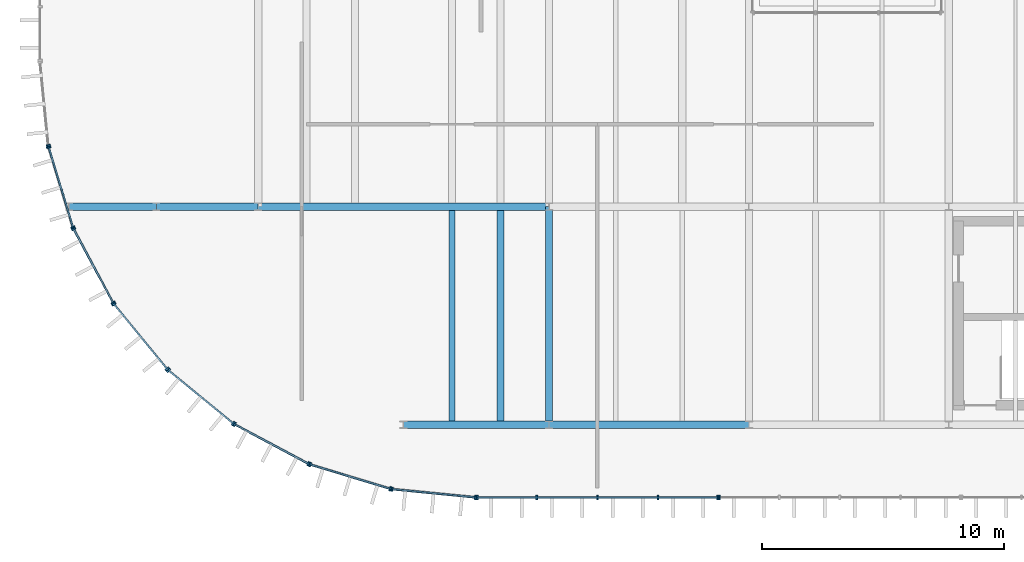
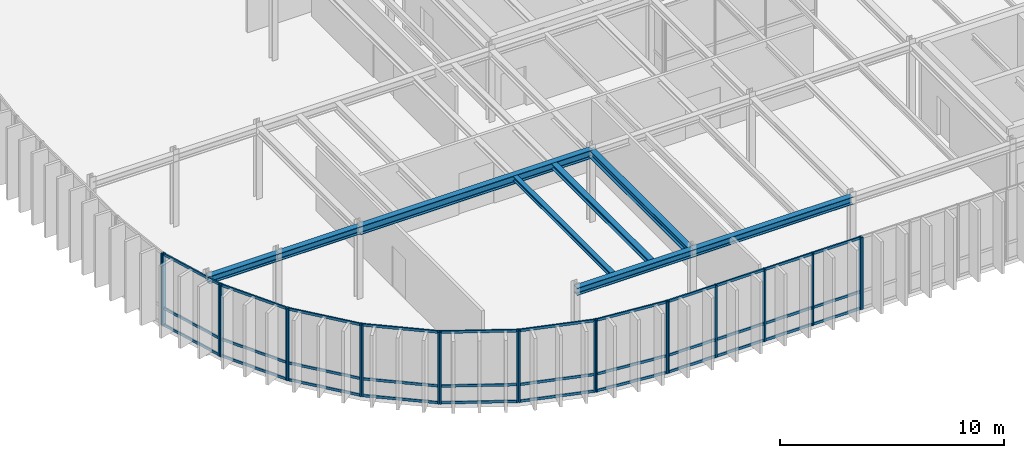
# One storey, part 6 of 21: 45 members, 8 beams, 10 elements without a shape of their own.
"""IFC4 building model written with IfcOpenShell, lengths in metres."""

import ifcopenshell
import ifcopenshell.guid

model = None  # the IFC model being written
_history = None  # IfcOwnerHistory: only IFC2X3 demands one
_inside = {}  # id of a spatial element -> (the spatial element, [elements in it])
_under = {}  # id of a project, library or spatial element -> (it, [spatial elements below it])
_declared = {}  # id of a project -> (the project, [libraries it declares])
_typed = {}  # id of a type object -> (the type object, [elements of that type])
_made_of = {}  # id of a material, layer set ... -> (it, [elements and type objects made of it])


def new_model(schema):
    """Start an empty IFC model of exactly this schema.

    Asked for "IFC4X3", IfcOpenShell would pick the latest addendum, in which some entities
    have other attributes; the version numbers below select the first issue.
    IFC2X3 requires an IfcOwnerHistory on every rooted entity: one is made here for all.
    """
    global model, _history
    if schema == "IFC4X3":
        model = ifcopenshell.file(schema_version=(4, 3, 0, 0))
    else:
        model = ifcopenshell.file(schema=schema)
    _inside.clear()
    _under.clear()
    _declared.clear()
    _typed.clear()
    _made_of.clear()
    _history = None
    if model.schema == "IFC2X3":
        org = make("IfcOrganization", Name="unknown")
        user = make(
            "IfcPersonAndOrganization",
            ThePerson=make("IfcPerson", FamilyName="unknown"),
            TheOrganization=org,
        )
        app = make(
            "IfcApplication",
            ApplicationDeveloper=org,
            Version="unknown",
            ApplicationFullName="unknown",
            ApplicationIdentifier="unknown",
        )
        _history = make(
            "IfcOwnerHistory",
            OwningUser=user,
            OwningApplication=app,
            ChangeAction="ADDED",
            CreationDate=0,
        )
    return model


def make(cls, **values):
    """One entity of the class cls with the attributes given. An attribute that is None is left unset."""
    return model.create_entity(
        cls, **{name: value for name, value in values.items() if value is not None}
    )


def rooted(cls, **values):
    """An entity with a GlobalId (a new one), such as an element, a storey or a relation."""
    return make(cls, GlobalId=ifcopenshell.guid.new(), OwnerHistory=_history, **values)


def si_unit(unit_type, name, prefix=None):
    """IfcSIUnit, for example si_unit("LENGTHUNIT", "METRE", prefix="MILLI")."""
    return make("IfcSIUnit", UnitType=unit_type, Prefix=prefix, Name=name)


def assignment(units):
    """IfcUnitAssignment: the units of a project."""
    return None if units is None else make("IfcUnitAssignment", Units=units)


def point(xyz):
    """IfcCartesianPoint."""
    return None if xyz is None else make("IfcCartesianPoint", Coordinates=xyz)


def direction(xyz):
    """IfcDirection."""
    return None if xyz is None else make("IfcDirection", DirectionRatios=xyz)


def frame(location, z_axis=None, x_axis=None):
    """IfcAxis2Placement3D, a coordinate frame: its origin and axes. An axis left out is left unset."""
    return make(
        "IfcAxis2Placement3D",
        Location=point(location),
        Axis=direction(z_axis),
        RefDirection=direction(x_axis),
    )


def frame_2d(location, x_axis=None):
    """IfcAxis2Placement2D, a coordinate frame in the plane: its origin and x axis."""
    return make(
        "IfcAxis2Placement2D", Location=point(location), RefDirection=direction(x_axis)
    )


def origin():
    """The frame at (0, 0, 0) with its axes left unset."""
    return frame((0.0, 0.0, 0.0))


def origin_2d():
    """The frame at (0, 0) in the plane with its x axis left unset."""
    return frame_2d((0.0, 0.0))


def place(relative_to, where):
    """IfcLocalPlacement: puts the frame where relative to a parent placement (None: the world)."""
    return make(
        "IfcLocalPlacement", PlacementRelTo=relative_to, RelativePlacement=where
    )


def context(
    kind, dimensions, precision=None, world=None, true_north=None, identifier=None
):
    """IfcGeometricRepresentationContext, for example the 3D "Model" context."""
    return make(
        "IfcGeometricRepresentationContext",
        ContextIdentifier=identifier,
        ContextType=kind,
        CoordinateSpaceDimension=dimensions,
        Precision=precision,
        WorldCoordinateSystem=world,
        TrueNorth=true_north,
    )


def subcontext(parent, identifier, kind, view, scale=None):
    """IfcGeometricRepresentationSubContext, for example "Body" below "Model"."""
    return make(
        "IfcGeometricRepresentationSubContext",
        ContextIdentifier=identifier,
        ContextType=kind,
        ParentContext=parent,
        TargetScale=scale,
        TargetView=view,
    )


def project(units=None, contexts=None):
    """IfcProject with its units and contexts."""
    return rooted(
        "IfcProject",
        Name="project",
        RepresentationContexts=contexts,
        UnitsInContext=assignment(units),
    )


def spatial(cls, under=None, at=None, **own):
    """A site, building, storey or space (cls), placed at a placement, below another one or the project."""
    s = rooted(cls, ObjectPlacement=at, **own)
    if under is not None:
        _under.setdefault(under.id(), (under, []))[1].append(s)
    return s


def profile(cls, at=None, kind="AREA", **sizes):
    """A parametric profile (cls). Its sizes go by their IFC names, for example OverallWidth=200.0."""
    return make(cls, ProfileType=kind, Position=at, **sizes)


def rectangle(**sizes):
    """IfcRectangleProfileDef."""
    return profile("IfcRectangleProfileDef", **sizes)


def i_section(**sizes):
    """IfcIShapeProfileDef."""
    return profile("IfcIShapeProfileDef", **sizes)


def extrude(swept, where, along, depth):
    """IfcExtrudedAreaSolid: the profile swept, set in the frame where, extruded along a direction by depth."""
    return make(
        "IfcExtrudedAreaSolid",
        SweptArea=swept,
        Position=where,
        ExtrudedDirection=direction(along),
        Depth=depth,
    )


def shape(context_of_items, identifier, shape_type, items):
    """IfcShapeRepresentation: the items that make up one representation, for example the "Body"."""
    return make(
        "IfcShapeRepresentation",
        ContextOfItems=context_of_items,
        RepresentationIdentifier=identifier,
        RepresentationType=shape_type,
        Items=items,
    )


def material(Name=None, Category=None):
    """IfcMaterial."""
    return make("IfcMaterial", Name=Name, Category=Category)


def layer(
    of_material, thickness, ventilated=None, Name=None, Category=None, Priority=None
):
    """IfcMaterialLayer: one layer of a wall or slab, of a material (None: an air gap)."""
    return make(
        "IfcMaterialLayer",
        Material=of_material,
        LayerThickness=thickness,
        IsVentilated=ventilated,
        Name=Name,
        Category=Category,
        Priority=Priority,
    )


def layer_set(layers, Name=None):
    """IfcMaterialLayerSet."""
    return make("IfcMaterialLayerSet", MaterialLayers=layers, LayerSetName=Name)


def material_profile(
    of_material, cross_section, Name=None, Category=None, Priority=None
):
    """IfcMaterialProfile: a cross section and its material."""
    return make(
        "IfcMaterialProfile",
        Name=Name,
        Material=of_material,
        Profile=cross_section,
        Priority=Priority,
        Category=Category,
    )


def profile_set(profiles, Name=None, composite=None):
    """IfcMaterialProfileSet."""
    return make(
        "IfcMaterialProfileSet",
        Name=Name,
        MaterialProfiles=profiles,
        CompositeProfile=composite,
    )


def made_of(thing, what):
    """Note that an element or type object is made of a material, layer set ...; save() writes the relation."""
    if what is not None:
        _made_of.setdefault(what.id(), (what, []))[1].append(thing)
    return thing


def type_object(cls, material=None, **own):
    """A type object (cls), such as IfcWallType, which elements share."""
    return made_of(rooted(cls, **own), material)


def element(
    cls,
    number,
    at=None,
    inside=None,
    cuts=None,
    type_object=None,
    material=None,
    context=None,
    identifier="Body",
    shape_type=None,
    held_by="IfcProductDefinitionShape",
    body=None,
    shapes=None,
    **own,
):
    """One element of the class cls, such as IfcWall. Its Tag is "e" and its number.

    at: its placement. inside: the storey or other place that contains it. cuts: it is an
    opening in that element (IfcRelVoidsElement). A single representation is given by context,
    identifier, shape_type and body (its items); several are given by shapes. held_by: the class
    of the entity that holds the representations. save() writes the other relations.
    """
    e = rooted(cls, Tag="e%d" % number, ObjectPlacement=at, **own)
    if body is not None:
        shapes = [shape(context, identifier, shape_type, body)]
    if shapes is not None:
        e.Representation = make(held_by, Representations=shapes)
    if inside is not None:
        _inside.setdefault(inside.id(), (inside, []))[1].append(e)
    if cuts is not None:
        rooted(
            "IfcRelVoidsElement", RelatingBuildingElement=cuts, RelatedOpeningElement=e
        )
    if type_object is not None:
        _typed.setdefault(type_object.id(), (type_object, []))[1].append(e)
    return made_of(e, material)


def aggregate(whole, parts):
    """IfcRelAggregates: a whole, such as a stair, and the parts it consists of."""
    return rooted("IfcRelAggregates", RelatingObject=whole, RelatedObjects=parts)


def save(model, path):
    """Write the relations noted so far, then the file.

    IfcRelAggregates (storeys below a building ...), IfcRelContainedInSpatialStructure (elements
    in a storey), IfcRelDefinesByType, IfcRelAssociatesMaterial and IfcRelDeclares: one each for
    every whole, place, type object, material and project.
    """
    for whole, parts in _under.values():
        aggregate(whole, parts)
    for where, things in _inside.values():
        rooted(
            "IfcRelContainedInSpatialStructure",
            RelatedElements=things,
            RelatingStructure=where,
        )
    for kind, things in _typed.values():
        rooted("IfcRelDefinesByType", RelatedObjects=things, RelatingType=kind)
    for what, things in _made_of.values():
        rooted("IfcRelAssociatesMaterial", RelatedObjects=things, RelatingMaterial=what)
    for by, libraries in _declared.values():
        rooted("IfcRelDeclares", RelatingContext=by, RelatedDefinitions=libraries)
    model.write(path)


model = new_model("IFC4")

# Units and contexts
model_context = context("Model", 3, precision=1e-05, world=origin(), true_north=direction((0.0, 1.0)))
body_context = subcontext(model_context, "Body", "Model", "MODEL_VIEW")
ifc_project = project(units=[si_unit("LENGTHUNIT", "METRE"), si_unit("AREAUNIT", "SQUARE_METRE"), si_unit("VOLUMEUNIT", "CUBIC_METRE"), si_unit("PLANEANGLEUNIT", "RADIAN"), si_unit("MASSUNIT", "GRAM", prefix="KILO")], contexts=[model_context])

# Site, building, storey
site_placement = place(None, origin())
site = spatial("IfcSite", under=ifc_project, at=site_placement, CompositionType="ELEMENT")
building_placement = place(site_placement, origin())
building = spatial("IfcBuilding", under=site, at=building_placement, Name="Montealbar Specialist Clinic", CompositionType="ELEMENT")
storey_placement = place(building_placement, frame((0.0, 0.0, 26.39990234375)))
storey = spatial("IfcBuildingStorey", under=building, at=storey_placement, Name="L06", CompositionType="ELEMENT", Elevation=26.39990234375)

# Beams
ifc_material_1 = material(Name="Steel S355", Category="steel")
ifc_material_profile_1 = material_profile(ifc_material_1, i_section(OverallWidth=0.300048828125, OverallDepth=0.39990234375, WebThickness=0.013427734375, FlangeThickness=0.02392578125, FilletRadius=0.027099609375, at=origin_2d()), Name="HEB 400", Category="steel")
ifc_profile_set_1 = profile_set([ifc_material_profile_1], Name="Steel S355")
beam_type_1 = type_object("IfcBeamType", Name="BM-GIRD-HEB400-EXT", PredefinedType="BEAM", material=ifc_profile_set_1)
beam_1_placement = place(storey_placement, frame((60.0, 9.0, 3.72998046875), z_axis=(1.0, 0.0, 0.0), x_axis=(0.0, 1.0, 0.0)))
element("IfcBeam", 1, at=beam_1_placement, inside=storey, type_object=beam_type_1, Name="Beam GX-L06-600-660-90", PredefinedType="BEAM", context=body_context, shape_type="SweptSolid", body=[
    extrude(i_section(OverallWidth=0.300048828125, OverallDepth=0.39990234375, WebThickness=0.013427734375, FlangeThickness=0.02392578125, FilletRadius=0.027099609375, at=origin_2d()), origin(), (0.0, 0.0, 1.0), 6.0),
])
beam_2_placement = place(storey_placement, frame((66.0, 9.0, 3.72998046875), z_axis=(1.0, 0.0, 0.0), x_axis=(0.0, 1.0, 0.0)))
element("IfcBeam", 2, at=beam_2_placement, inside=storey, type_object=beam_type_1, Name="Beam GX-L06-660-742-90", PredefinedType="BEAM", context=body_context, shape_type="SweptSolid", body=[
    extrude(i_section(OverallWidth=0.300048828125, OverallDepth=0.39990234375, WebThickness=0.013427734375, FlangeThickness=0.02392578125, FilletRadius=0.027099609375, at=origin_2d()), origin(), (0.0, 0.0, 1.0), 8.25),
])
beam_3_placement = place(storey_placement, frame((46.199951171875, 18.0, 3.72998046875), z_axis=(1.0, 0.0, 0.0), x_axis=(0.0, 1.0, 0.0)))
element("IfcBeam", 3, at=beam_3_placement, inside=storey, type_object=beam_type_1, Name="Beam GX-L06-462-498-180", PredefinedType="BEAM", context=body_context, shape_type="SweptSolid", body=[
    extrude(i_section(OverallWidth=0.300048828125, OverallDepth=0.39990234375, WebThickness=0.013427734375, FlangeThickness=0.02392578125, FilletRadius=0.027099609375, at=origin_2d()), origin(), (0.0, 0.0, 1.0), 3.60009765625),
])
beam_4_placement = place(storey_placement, frame((49.800048828125, 18.0, 3.72998046875), z_axis=(1.0, 0.0, 0.0), x_axis=(0.0, 1.0, 0.0)))
element("IfcBeam", 4, at=beam_4_placement, inside=storey, type_object=beam_type_1, Name="Beam GX-L06-498-540-180", PredefinedType="BEAM", context=body_context, shape_type="SweptSolid", body=[
    extrude(i_section(OverallWidth=0.300048828125, OverallDepth=0.39990234375, WebThickness=0.013427734375, FlangeThickness=0.02392578125, FilletRadius=0.027099609375, at=origin_2d()), origin(), (0.0, 0.0, 1.0), 4.199951171875),
])
beam_5_placement = place(storey_placement, frame((66.0, 9.0, 3.72998046875), z_axis=(0.0, 1.0, 0.0), x_axis=(-1.0, 0.0, 0.0)))
element("IfcBeam", 5, at=beam_5_placement, inside=storey, type_object=beam_type_1, Name="Beam GY-L06-660-90-180", PredefinedType="BEAM", context=body_context, shape_type="SweptSolid", body=[
    extrude(i_section(OverallWidth=0.300048828125, OverallDepth=0.39990234375, WebThickness=0.013427734375, FlangeThickness=0.02392578125, FilletRadius=0.027099609375, at=origin_2d()), origin(), (0.0, 0.0, 1.0), 9.0),
])
ifc_material_profile_2 = material_profile(ifc_material_1, i_section(OverallWidth=0.300048828125, OverallDepth=0.449951171875, WebThickness=0.013916015625, FlangeThickness=0.02587890625, FilletRadius=0.027099609375, at=origin_2d()), Name="HEB 450", Category="steel")
ifc_profile_set_2 = profile_set([ifc_material_profile_2], Name="Steel S355")
beam_type_2 = type_object("IfcBeamType", Name="BM-GIRD-HEB450-EXT", PredefinedType="BEAM", material=ifc_profile_set_2)
beam_6_placement = place(storey_placement, frame((54.0, 18.0, 3.705078125), z_axis=(1.0, 0.0, 0.0), x_axis=(0.0, 1.0, 0.0)))
element("IfcBeam", 6, at=beam_6_placement, inside=storey, type_object=beam_type_2, Name="Beam GX-L06-540-660-180", PredefinedType="BEAM", context=body_context, shape_type="SweptSolid", body=[
    extrude(i_section(OverallWidth=0.300048828125, OverallDepth=0.449951171875, WebThickness=0.013916015625, FlangeThickness=0.02587890625, FilletRadius=0.027099609375, at=origin_2d()), origin(), (0.0, 0.0, 1.0), 12.0),
])
ifc_material_profile_3 = material_profile(ifc_material_1, i_section(OverallWidth=0.239990234375, OverallDepth=0.239990234375, WebThickness=0.010009765625, FlangeThickness=0.01708984375, FilletRadius=0.02099609375, at=origin_2d()), Name="HEB 240", Category="steel")
ifc_profile_set_3 = profile_set([ifc_material_profile_3], Name="Steel S355")
beam_type_3 = type_object("IfcBeamType", Name="BM-JST-HEB240", PredefinedType="JOIST", material=ifc_profile_set_3)
beam_7_placement = place(storey_placement, frame((62.0, 9.14990234375, 3.81005859375), z_axis=(0.0, 1.0, 0.0), x_axis=(-1.0, 0.0, 0.0)))
element("IfcBeam", 7, at=beam_7_placement, inside=storey, type_object=beam_type_3, Name="Beam JST-L06-620-92-178", PredefinedType="JOIST", context=body_context, shape_type="SweptSolid", body=[
    extrude(i_section(OverallWidth=0.239990234375, OverallDepth=0.239990234375, WebThickness=0.010009765625, FlangeThickness=0.01708984375, FilletRadius=0.02099609375, at=origin_2d()), origin(), (0.0, 0.0, 1.0), 8.7001953125),
])
ifc_material_profile_4 = material_profile(ifc_material_1, i_section(OverallWidth=0.280029296875, OverallDepth=0.280029296875, WebThickness=0.010498046875, FlangeThickness=0.01806640625, FilletRadius=0.02392578125, at=origin_2d()), Name="HEB 280", Category="steel")
ifc_profile_set_4 = profile_set([ifc_material_profile_4], Name="Steel S355")
beam_type_4 = type_object("IfcBeamType", Name="BM-JST-HEB280", PredefinedType="JOIST", material=ifc_profile_set_4)
beam_8_placement = place(storey_placement, frame((64.0, 9.14990234375, 3.7900390625), z_axis=(0.0, 1.0, 0.0), x_axis=(-1.0, 0.0, 0.0)))
element("IfcBeam", 8, at=beam_8_placement, inside=storey, type_object=beam_type_4, Name="Beam JST-L06-640-92-178", PredefinedType="JOIST", context=body_context, shape_type="SweptSolid", body=[
    extrude(i_section(OverallWidth=0.280029296875, OverallDepth=0.280029296875, WebThickness=0.010498046875, FlangeThickness=0.01806640625, FilletRadius=0.02392578125, at=origin_2d()), origin(), (0.0, 0.0, 1.0), 8.7001953125),
])

# Curtain wall, member
ifc_material_2 = material(Name="Low-E double glazing", Category="glass")
ifc_layer_1 = layer(ifc_material_2, 0.199951171875, Name="Low-E double glazing", Category="glass")
ifc_layer_set_1 = layer_set([ifc_layer_1], Name="Low-E double glazing")
curtain_wall_type_1 = type_object("IfcCurtainWallType", Name="CW-TYPE-43", PredefinedType="NOTDEFINED", material=ifc_layer_set_1)
curtain_wall_1_placement = place(storey_placement, origin())
curtain_wall_1 = element("IfcCurtainWall", 9, at=curtain_wall_1_placement, inside=storey, type_object=curtain_wall_type_1, Name="Unitised Curtain Wall CW-L06-830-60-730-60-264", PredefinedType="NOTDEFINED")
ifc_material_3 = material(Name="Anodised aluminium EN AW-6063", Category="aluminium")
ifc_material_profile_5 = material_profile(ifc_material_3, rectangle(XDim=0.070068359375, YDim=0.179931640625, at=origin_2d()), Name="ALU 70x180", Category="aluminium")
ifc_profile_set_5 = profile_set([ifc_material_profile_5], Name="Anodised aluminium EN AW-6063")
member_type_1 = type_object("IfcMemberType", Name="CW-MUL-200", PredefinedType="MULLION", material=ifc_profile_set_5)
member_1_placement = place(storey_placement, frame((73.0400390625, 6.0, 0.0), z_axis=(0.0, 0.0, 1.0), x_axis=(-1.0, 0.0, 0.0)))
member_1 = element("IfcMember", 10, at=member_1_placement, type_object=member_type_1, Name="Curtain Wall Mullion CW-L06-830-60-730-60-264-04", PredefinedType="MULLION", context=body_context, shape_type="SweptSolid", body=[
    extrude(rectangle(XDim=0.070068359375, YDim=0.179931640625, at=origin_2d()), origin(), (0.0, 0.0, 1.0), 3.93017578125),
])
aggregate(curtain_wall_1, [member_1])

# Curtain wall, members
curtain_wall_2_placement = place(storey_placement, origin())
curtain_wall_2 = element("IfcCurtainWall", 11, at=curtain_wall_2_placement, inside=storey, type_object=curtain_wall_type_1, Name="Unitised Curtain Wall CW-L06-730-60-630-60-264", PredefinedType="NOTDEFINED")
member_2_placement = place(storey_placement, frame((72.9599609375, 6.0, 0.0), z_axis=(0.0, 0.0, 1.0), x_axis=(-1.0, 0.0, 0.0)))
member_2 = element("IfcMember", 12, at=member_2_placement, type_object=member_type_1, Name="Curtain Wall Mullion CW-L06-730-60-630-60-264-00", PredefinedType="MULLION", context=body_context, shape_type="SweptSolid", body=[
    extrude(rectangle(XDim=0.070068359375, YDim=0.179931640625, at=origin_2d()), origin(), (0.0, 0.0, 1.0), 3.93017578125),
])
member_3_placement = place(storey_placement, frame((70.5, 6.0, 0.0), z_axis=(0.0, 0.0, 1.0), x_axis=(-1.0, 0.0, 0.0)))
member_3 = element("IfcMember", 13, at=member_3_placement, type_object=member_type_1, Name="Curtain Wall Mullion CW-L06-730-60-630-60-264-01", PredefinedType="MULLION", context=body_context, shape_type="SweptSolid", body=[
    extrude(rectangle(XDim=0.070068359375, YDim=0.179931640625, at=origin_2d()), origin(), (0.0, 0.0, 1.0), 3.93017578125),
])
member_4_placement = place(storey_placement, frame((68.0, 6.0, 0.0), z_axis=(0.0, 0.0, 1.0), x_axis=(-1.0, 0.0, 0.0)))
member_4 = element("IfcMember", 14, at=member_4_placement, type_object=member_type_1, Name="Curtain Wall Mullion CW-L06-730-60-630-60-264-02", PredefinedType="MULLION", context=body_context, shape_type="SweptSolid", body=[
    extrude(rectangle(XDim=0.070068359375, YDim=0.179931640625, at=origin_2d()), origin(), (0.0, 0.0, 1.0), 3.93017578125),
])
member_5_placement = place(storey_placement, frame((65.5, 6.0, 0.0), z_axis=(0.0, 0.0, 1.0), x_axis=(-1.0, 0.0, 0.0)))
member_5 = element("IfcMember", 15, at=member_5_placement, type_object=member_type_1, Name="Curtain Wall Mullion CW-L06-730-60-630-60-264-03", PredefinedType="MULLION", context=body_context, shape_type="SweptSolid", body=[
    extrude(rectangle(XDim=0.070068359375, YDim=0.179931640625, at=origin_2d()), origin(), (0.0, 0.0, 1.0), 3.93017578125),
])
member_6_placement = place(storey_placement, frame((63.0400390625, 6.0, 0.0), z_axis=(0.0, 0.0, 1.0), x_axis=(-1.0, 0.0, 0.0)))
member_6 = element("IfcMember", 16, at=member_6_placement, type_object=member_type_1, Name="Curtain Wall Mullion CW-L06-730-60-630-60-264-04", PredefinedType="MULLION", context=body_context, shape_type="SweptSolid", body=[
    extrude(rectangle(XDim=0.070068359375, YDim=0.179931640625, at=origin_2d()), origin(), (0.0, 0.0, 1.0), 3.93017578125),
])

ifc_layer_2 = layer(ifc_material_2, 0.199951171875, Name="Low-E double glazing", Category="glass")
ifc_layer_set_2 = layer_set([ifc_layer_2], Name="Low-E double glazing")
curtain_wall_type_2 = type_object("IfcCurtainWallType", Name="CW-TYPE-12", PredefinedType="NOTDEFINED", material=ifc_layer_set_2)
curtain_wall_3_placement = place(storey_placement, origin())
curtain_wall_3 = element("IfcCurtainWall", 17, at=curtain_wall_3_placement, inside=storey, type_object=curtain_wall_type_2, Name="Unitised Curtain Wall CW-L06-630-60-595-63-264", PredefinedType="NOTDEFINED")
member_7_placement = place(storey_placement, frame((62.9599609375, 6.00390625, 0.0), z_axis=(0.0, 0.0, 1.0), x_axis=(-0.995182012183, 0.098044697094, 0.0)))
member_7 = element("IfcMember", 18, at=member_7_placement, type_object=member_type_1, Name="Curtain Wall Mullion CW-L06-630-60-595-63-264-00", PredefinedType="MULLION", context=body_context, shape_type="SweptSolid", body=[
    extrude(rectangle(XDim=0.070068359375, YDim=0.179931640625, at=origin_2d()), origin(), (0.0, 0.0, 1.0), 3.93017578125),
])
member_8_placement = place(storey_placement, frame((59.528076171875, 6.342041015625, 0.0), z_axis=(0.0, 0.0, 1.0), x_axis=(-0.995182012183, 0.098044697094, 0.0)))
member_8 = element("IfcMember", 19, at=member_8_placement, type_object=member_type_1, Name="Curtain Wall Mullion CW-L06-630-60-595-63-264-01", PredefinedType="MULLION", context=body_context, shape_type="SweptSolid", body=[
    extrude(rectangle(XDim=0.070068359375, YDim=0.179931640625, at=origin_2d()), origin(), (0.0, 0.0, 1.0), 3.93017578125),
])

curtain_wall_4_placement = place(storey_placement, origin())
curtain_wall_4 = element("IfcCurtainWall", 20, at=curtain_wall_4_placement, inside=storey, type_object=curtain_wall_type_2, Name="Unitised Curtain Wall CW-L06-595-63-561-74-264", PredefinedType="NOTDEFINED")
member_9_placement = place(storey_placement, frame((59.449951171875, 6.35791015625, 0.0), z_axis=(0.0, 0.0, 1.0), x_axis=(-0.956948083701, 0.290259134399, 0.0)))
member_9 = element("IfcMember", 21, at=member_9_placement, type_object=member_type_1, Name="Curtain Wall Mullion CW-L06-595-63-561-74-264-00", PredefinedType="MULLION", context=body_context, shape_type="SweptSolid", body=[
    extrude(rectangle(XDim=0.070068359375, YDim=0.179931640625, at=origin_2d()), origin(), (0.0, 0.0, 1.0), 3.93017578125),
])
member_10_placement = place(storey_placement, frame((56.14990234375, 7.35791015625, 0.0), z_axis=(0.0, 0.0, 1.0), x_axis=(-0.956948083701, 0.290259134399, 0.0)))
member_10 = element("IfcMember", 22, at=member_10_placement, type_object=member_type_1, Name="Curtain Wall Mullion CW-L06-595-63-561-74-264-01", PredefinedType="MULLION", context=body_context, shape_type="SweptSolid", body=[
    extrude(rectangle(XDim=0.070068359375, YDim=0.179931640625, at=origin_2d()), origin(), (0.0, 0.0, 1.0), 3.93017578125),
])

curtain_wall_5_placement = place(storey_placement, origin())
curtain_wall_5 = element("IfcCurtainWall", 23, at=curtain_wall_5_placement, inside=storey, type_object=curtain_wall_type_2, Name="Unitised Curtain Wall CW-L06-561-74-530-90-264", PredefinedType="NOTDEFINED")
member_11_placement = place(storey_placement, frame((56.076904296875, 7.388916015625, 0.0), z_axis=(0.0, 0.0, 1.0), x_axis=(-0.881850411644, 0.471529268958, 0.0)))
member_11 = element("IfcMember", 24, at=member_11_placement, type_object=member_type_1, Name="Curtain Wall Mullion CW-L06-561-74-530-90-264-00", PredefinedType="MULLION", context=body_context, shape_type="SweptSolid", body=[
    extrude(rectangle(XDim=0.070068359375, YDim=0.179931640625, at=origin_2d()), origin(), (0.0, 0.0, 1.0), 3.93017578125),
])
member_12_placement = place(storey_placement, frame((53.034912109375, 9.014892578125, 0.0), z_axis=(0.0, 0.0, 1.0), x_axis=(-0.881850411644, 0.471529268958, 0.0)))
member_12 = element("IfcMember", 25, at=member_12_placement, type_object=member_type_1, Name="Curtain Wall Mullion CW-L06-561-74-530-90-264-01", PredefinedType="MULLION", context=body_context, shape_type="SweptSolid", body=[
    extrude(rectangle(XDim=0.070068359375, YDim=0.179931640625, at=origin_2d()), origin(), (0.0, 0.0, 1.0), 3.93017578125),
])

curtain_wall_6_placement = place(storey_placement, origin())
curtain_wall_6 = element("IfcCurtainWall", 26, at=curtain_wall_6_placement, inside=storey, type_object=curtain_wall_type_2, Name="Unitised Curtain Wall CW-L06-530-90-503-113-264", PredefinedType="NOTDEFINED")
member_13_placement = place(storey_placement, frame((52.968994140625, 9.05908203125, 0.0), z_axis=(0.0, 0.0, 1.0), x_axis=(-0.773123255923, 0.634255808922, 0.0)))
member_13 = element("IfcMember", 27, at=member_13_placement, type_object=member_type_1, Name="Curtain Wall Mullion CW-L06-530-90-503-113-264-00", PredefinedType="MULLION", context=body_context, shape_type="SweptSolid", body=[
    extrude(rectangle(XDim=0.070068359375, YDim=0.179931640625, at=origin_2d()), origin(), (0.0, 0.0, 1.0), 3.93017578125),
])
member_14_placement = place(storey_placement, frame((50.302978515625, 11.2470703125, 0.0), z_axis=(0.0, 0.0, 1.0), x_axis=(-0.773123255923, 0.634255808922, 0.0)))
member_14 = element("IfcMember", 28, at=member_14_placement, type_object=member_type_1, Name="Curtain Wall Mullion CW-L06-530-90-503-113-264-01", PredefinedType="MULLION", context=body_context, shape_type="SweptSolid", body=[
    extrude(rectangle(XDim=0.070068359375, YDim=0.179931640625, at=origin_2d()), origin(), (0.0, 0.0, 1.0), 3.93017578125),
])

curtain_wall_7_placement = place(storey_placement, origin())
curtain_wall_7 = element("IfcCurtainWall", 29, at=curtain_wall_7_placement, inside=storey, type_object=curtain_wall_type_2, Name="Unitised Curtain Wall CW-L06-503-113-480-140-264", PredefinedType="NOTDEFINED")
member_15_placement = place(storey_placement, frame((50.2470703125, 11.302978515625, 0.0), z_axis=(0.0, 0.0, 1.0), x_axis=(-0.634255808922, 0.773123255923, 0.0)))
member_15 = element("IfcMember", 30, at=member_15_placement, type_object=member_type_1, Name="Curtain Wall Mullion CW-L06-503-113-480-140-264-00", PredefinedType="MULLION", context=body_context, shape_type="SweptSolid", body=[
    extrude(rectangle(XDim=0.070068359375, YDim=0.179931640625, at=origin_2d()), origin(), (0.0, 0.0, 1.0), 3.93017578125),
])
member_16_placement = place(storey_placement, frame((48.05908203125, 13.968994140625, 0.0), z_axis=(0.0, 0.0, 1.0), x_axis=(-0.634255808922, 0.773123255923, 0.0)))
member_16 = element("IfcMember", 31, at=member_16_placement, type_object=member_type_1, Name="Curtain Wall Mullion CW-L06-503-113-480-140-264-01", PredefinedType="MULLION", context=body_context, shape_type="SweptSolid", body=[
    extrude(rectangle(XDim=0.070068359375, YDim=0.179931640625, at=origin_2d()), origin(), (0.0, 0.0, 1.0), 3.93017578125),
])

curtain_wall_8_placement = place(storey_placement, origin())
curtain_wall_8 = element("IfcCurtainWall", 32, at=curtain_wall_8_placement, inside=storey, type_object=curtain_wall_type_2, Name="Unitised Curtain Wall CW-L06-480-140-464-171-264", PredefinedType="NOTDEFINED")
member_17_placement = place(storey_placement, frame((48.014892578125, 14.034912109375, 0.0), z_axis=(0.0, 0.0, 1.0), x_axis=(-0.471529268958, 0.881850411644, 0.0)))
member_17 = element("IfcMember", 33, at=member_17_placement, type_object=member_type_1, Name="Curtain Wall Mullion CW-L06-480-140-464-171-264-00", PredefinedType="MULLION", context=body_context, shape_type="SweptSolid", body=[
    extrude(rectangle(XDim=0.070068359375, YDim=0.179931640625, at=origin_2d()), origin(), (0.0, 0.0, 1.0), 3.93017578125),
])
member_18_placement = place(storey_placement, frame((46.388916015625, 17.076904296875, 0.0), z_axis=(0.0, 0.0, 1.0), x_axis=(-0.471529268958, 0.881850411644, 0.0)))
member_18 = element("IfcMember", 34, at=member_18_placement, type_object=member_type_1, Name="Curtain Wall Mullion CW-L06-480-140-464-171-264-01", PredefinedType="MULLION", context=body_context, shape_type="SweptSolid", body=[
    extrude(rectangle(XDim=0.070068359375, YDim=0.179931640625, at=origin_2d()), origin(), (0.0, 0.0, 1.0), 3.93017578125),
])

curtain_wall_9_placement = place(storey_placement, origin())
curtain_wall_9 = element("IfcCurtainWall", 35, at=curtain_wall_9_placement, inside=storey, type_object=curtain_wall_type_2, Name="Unitised Curtain Wall CW-L06-464-171-453-205-264", PredefinedType="NOTDEFINED")
member_19_placement = place(storey_placement, frame((46.35791015625, 17.14990234375, 0.0), z_axis=(0.0, 0.0, 1.0), x_axis=(-0.290259134399, 0.956948083701, 0.0)))
member_19 = element("IfcMember", 36, at=member_19_placement, type_object=member_type_1, Name="Curtain Wall Mullion CW-L06-464-171-453-205-264-00", PredefinedType="MULLION", context=body_context, shape_type="SweptSolid", body=[
    extrude(rectangle(XDim=0.070068359375, YDim=0.179931640625, at=origin_2d()), origin(), (0.0, 0.0, 1.0), 3.93017578125),
])
member_20_placement = place(storey_placement, frame((45.35791015625, 20.449951171875, 0.0), z_axis=(0.0, 0.0, 1.0), x_axis=(-0.290259134399, 0.956948083701, 0.0)))
member_20 = element("IfcMember", 37, at=member_20_placement, type_object=member_type_1, Name="Curtain Wall Mullion CW-L06-464-171-453-205-264-01", PredefinedType="MULLION", context=body_context, shape_type="SweptSolid", body=[
    extrude(rectangle(XDim=0.070068359375, YDim=0.179931640625, at=origin_2d()), origin(), (0.0, 0.0, 1.0), 3.93017578125),
])

# Curtain wall, member
curtain_wall_10_placement = place(storey_placement, origin())
curtain_wall_10 = element("IfcCurtainWall", 38, at=curtain_wall_10_placement, inside=storey, type_object=curtain_wall_type_2, Name="Unitised Curtain Wall CW-L06-453-205-450-240-264", PredefinedType="NOTDEFINED")
member_21_placement = place(storey_placement, frame((45.342041015625, 20.528076171875, 0.0), z_axis=(0.0, 0.0, 1.0), x_axis=(-0.098044697094, 0.995182012183, 0.0)))
member_21 = element("IfcMember", 39, at=member_21_placement, type_object=member_type_1, Name="Curtain Wall Mullion CW-L06-453-205-450-240-264-00", PredefinedType="MULLION", context=body_context, shape_type="SweptSolid", body=[
    extrude(rectangle(XDim=0.070068359375, YDim=0.179931640625, at=origin_2d()), origin(), (0.0, 0.0, 1.0), 3.93017578125),
])
aggregate(curtain_wall_10, [member_21])

# Member
ifc_material_4 = material(Name="Powder-coated aluminium", Category="aluminium")
ifc_material_profile_6 = material_profile(ifc_material_4, rectangle(XDim=0.070068359375, YDim=0.139892578125, at=origin_2d()), Name="ALU 70x140", Category="aluminium")
ifc_profile_set_6 = profile_set([ifc_material_profile_6], Name="Powder-coated aluminium")
member_type_2 = type_object("IfcMemberType", Name="CW-TRN-140", PredefinedType="USERDEFINED", material=ifc_profile_set_6)
member_22_placement = place(storey_placement, frame((72.949951171875, 6.0, 0.0400390625), z_axis=(-1.0, 0.0, 0.0), x_axis=(0.0, -1.0, 0.0)))
member_22 = element("IfcMember", 40, at=member_22_placement, type_object=member_type_2, Name="Curtain Wall Transom CW-L06-730-60-630-60-264-00", ObjectType="TRANSOM", PredefinedType="USERDEFINED", context=body_context, shape_type="SweptSolid", body=[
    extrude(rectangle(XDim=0.070068359375, YDim=0.139892578125, at=origin_2d()), origin(), (0.0, 0.0, 1.0), 9.89990234375),
])

member_23_placement = place(storey_placement, frame((72.949951171875, 6.0, 0.9501953125), z_axis=(-1.0, 0.0, 0.0), x_axis=(0.0, -1.0, 0.0)))
member_23 = element("IfcMember", 41, at=member_23_placement, type_object=member_type_2, Name="Curtain Wall Transom CW-L06-730-60-630-60-264-01", ObjectType="TRANSOM", PredefinedType="USERDEFINED", context=body_context, shape_type="SweptSolid", body=[
    extrude(rectangle(XDim=0.070068359375, YDim=0.139892578125, at=origin_2d()), origin(), (0.0, 0.0, 1.0), 9.89990234375),
])

member_24_placement = place(storey_placement, frame((72.949951171875, 6.0, 3.89013671875), z_axis=(-1.0, 0.0, 0.0), x_axis=(0.0, -1.0, 0.0)))
member_24 = element("IfcMember", 42, at=member_24_placement, type_object=member_type_2, Name="Curtain Wall Transom CW-L06-730-60-630-60-264-02", ObjectType="TRANSOM", PredefinedType="USERDEFINED", context=body_context, shape_type="SweptSolid", body=[
    extrude(rectangle(XDim=0.070068359375, YDim=0.139892578125, at=origin_2d()), origin(), (0.0, 0.0, 1.0), 9.89990234375),
])

aggregate(curtain_wall_2, [member_2, member_3, member_4, member_5, member_6, member_22, member_23, member_24])

member_25_placement = place(storey_placement, frame((62.949951171875, 6.0048828125, 0.0400390625), z_axis=(-0.995180678623, 0.098058232162, 0.0), x_axis=(-0.098058232162, -0.995180678623, 0.0)))
member_25 = element("IfcMember", 43, at=member_25_placement, type_object=member_type_2, Name="Curtain Wall Transom CW-L06-630-60-595-63-264-00", ObjectType="TRANSOM", PredefinedType="USERDEFINED", context=body_context, shape_type="SweptSolid", body=[
    extrude(rectangle(XDim=0.070068359375, YDim=0.139892578125, at=origin_2d()), origin(), (0.0, 0.0, 1.0), 3.428466796875),
])

member_26_placement = place(storey_placement, frame((62.949951171875, 6.0048828125, 0.9501953125), z_axis=(-0.995180678623, 0.098058232162, 0.0), x_axis=(-0.098058232162, -0.995180678623, 0.0)))
member_26 = element("IfcMember", 44, at=member_26_placement, type_object=member_type_2, Name="Curtain Wall Transom CW-L06-630-60-595-63-264-01", ObjectType="TRANSOM", PredefinedType="USERDEFINED", context=body_context, shape_type="SweptSolid", body=[
    extrude(rectangle(XDim=0.070068359375, YDim=0.139892578125, at=origin_2d()), origin(), (0.0, 0.0, 1.0), 3.428466796875),
])

member_27_placement = place(storey_placement, frame((62.949951171875, 6.0048828125, 3.89013671875), z_axis=(-0.995180678623, 0.098058232162, 0.0), x_axis=(-0.098058232162, -0.995180678623, 0.0)))
member_27 = element("IfcMember", 45, at=member_27_placement, type_object=member_type_2, Name="Curtain Wall Transom CW-L06-630-60-595-63-264-02", ObjectType="TRANSOM", PredefinedType="USERDEFINED", context=body_context, shape_type="SweptSolid", body=[
    extrude(rectangle(XDim=0.070068359375, YDim=0.139892578125, at=origin_2d()), origin(), (0.0, 0.0, 1.0), 3.428466796875),
])

aggregate(curtain_wall_3, [member_7, member_8, member_25, member_26, member_27])

member_28_placement = place(storey_placement, frame((59.43994140625, 6.361083984375, 0.0400390625), z_axis=(-0.957028598092, 0.289993555849, 0.0), x_axis=(-0.289993555849, -0.957028598092, 0.0)))
member_28 = element("IfcMember", 46, at=member_28_placement, type_object=member_type_2, Name="Curtain Wall Transom CW-L06-595-63-561-74-264-00", ObjectType="TRANSOM", PredefinedType="USERDEFINED", context=body_context, shape_type="SweptSolid", body=[
    extrude(rectangle(XDim=0.070068359375, YDim=0.139892578125, at=origin_2d()), origin(), (0.0, 0.0, 1.0), 3.42724609375),
])

member_29_placement = place(storey_placement, frame((59.43994140625, 6.361083984375, 0.9501953125), z_axis=(-0.957028598092, 0.289993555849, 0.0), x_axis=(-0.289993555849, -0.957028598092, 0.0)))
member_29 = element("IfcMember", 47, at=member_29_placement, type_object=member_type_2, Name="Curtain Wall Transom CW-L06-595-63-561-74-264-01", ObjectType="TRANSOM", PredefinedType="USERDEFINED", context=body_context, shape_type="SweptSolid", body=[
    extrude(rectangle(XDim=0.070068359375, YDim=0.139892578125, at=origin_2d()), origin(), (0.0, 0.0, 1.0), 3.42724609375),
])

member_30_placement = place(storey_placement, frame((59.43994140625, 6.361083984375, 3.89013671875), z_axis=(-0.957028598092, 0.289993555849, 0.0), x_axis=(-0.289993555849, -0.957028598092, 0.0)))
member_30 = element("IfcMember", 48, at=member_30_placement, type_object=member_type_2, Name="Curtain Wall Transom CW-L06-595-63-561-74-264-02", ObjectType="TRANSOM", PredefinedType="USERDEFINED", context=body_context, shape_type="SweptSolid", body=[
    extrude(rectangle(XDim=0.070068359375, YDim=0.139892578125, at=origin_2d()), origin(), (0.0, 0.0, 1.0), 3.42724609375),
])

aggregate(curtain_wall_4, [member_9, member_10, member_28, member_29, member_30])

member_31_placement = place(storey_placement, frame((56.068115234375, 7.39404296875, 0.0400390625), z_axis=(-0.881980147273, 0.471286558069, 0.0), x_axis=(-0.471286558069, -0.881980147273, 0.0)))
member_31 = element("IfcMember", 49, at=member_31_placement, type_object=member_type_2, Name="Curtain Wall Transom CW-L06-561-74-530-90-264-00", ObjectType="TRANSOM", PredefinedType="USERDEFINED", context=body_context, shape_type="SweptSolid", body=[
    extrude(rectangle(XDim=0.070068359375, YDim=0.139892578125, at=origin_2d()), origin(), (0.0, 0.0, 1.0), 3.428955078125),
])

member_32_placement = place(storey_placement, frame((56.068115234375, 7.39404296875, 0.9501953125), z_axis=(-0.881980147273, 0.471286558069, 0.0), x_axis=(-0.471286558069, -0.881980147273, 0.0)))
member_32 = element("IfcMember", 50, at=member_32_placement, type_object=member_type_2, Name="Curtain Wall Transom CW-L06-561-74-530-90-264-01", ObjectType="TRANSOM", PredefinedType="USERDEFINED", context=body_context, shape_type="SweptSolid", body=[
    extrude(rectangle(XDim=0.070068359375, YDim=0.139892578125, at=origin_2d()), origin(), (0.0, 0.0, 1.0), 3.428955078125),
])

member_33_placement = place(storey_placement, frame((56.068115234375, 7.39404296875, 3.89013671875), z_axis=(-0.881980147273, 0.471286558069, 0.0), x_axis=(-0.471286558069, -0.881980147273, 0.0)))
member_33 = element("IfcMember", 51, at=member_33_placement, type_object=member_type_2, Name="Curtain Wall Transom CW-L06-561-74-530-90-264-02", ObjectType="TRANSOM", PredefinedType="USERDEFINED", context=body_context, shape_type="SweptSolid", body=[
    extrude(rectangle(XDim=0.070068359375, YDim=0.139892578125, at=origin_2d()), origin(), (0.0, 0.0, 1.0), 3.428955078125),
])

aggregate(curtain_wall_5, [member_11, member_12, member_31, member_32, member_33])

member_34_placement = place(storey_placement, frame((52.9609375, 9.06591796875, 0.0400390625), z_axis=(-0.773102924144, 0.634280591441, 0.0), x_axis=(-0.634280591441, -0.773102924144, 0.0)))
member_34 = element("IfcMember", 52, at=member_34_placement, type_object=member_type_2, Name="Curtain Wall Transom CW-L06-530-90-503-113-264-00", ObjectType="TRANSOM", PredefinedType="USERDEFINED", context=body_context, shape_type="SweptSolid", body=[
    extrude(rectangle(XDim=0.070068359375, YDim=0.139892578125, at=origin_2d()), origin(), (0.0, 0.0, 1.0), 3.427734375),
])

member_35_placement = place(storey_placement, frame((52.9609375, 9.06591796875, 0.9501953125), z_axis=(-0.773102924144, 0.634280591441, 0.0), x_axis=(-0.634280591441, -0.773102924144, 0.0)))
member_35 = element("IfcMember", 53, at=member_35_placement, type_object=member_type_2, Name="Curtain Wall Transom CW-L06-530-90-503-113-264-01", ObjectType="TRANSOM", PredefinedType="USERDEFINED", context=body_context, shape_type="SweptSolid", body=[
    extrude(rectangle(XDim=0.070068359375, YDim=0.139892578125, at=origin_2d()), origin(), (0.0, 0.0, 1.0), 3.427734375),
])

member_36_placement = place(storey_placement, frame((52.9609375, 9.06591796875, 3.89013671875), z_axis=(-0.773102924144, 0.634280591441, 0.0), x_axis=(-0.634280591441, -0.773102924144, 0.0)))
member_36 = element("IfcMember", 54, at=member_36_placement, type_object=member_type_2, Name="Curtain Wall Transom CW-L06-530-90-503-113-264-02", ObjectType="TRANSOM", PredefinedType="USERDEFINED", context=body_context, shape_type="SweptSolid", body=[
    extrude(rectangle(XDim=0.070068359375, YDim=0.139892578125, at=origin_2d()), origin(), (0.0, 0.0, 1.0), 3.427734375),
])

aggregate(curtain_wall_6, [member_13, member_14, member_34, member_35, member_36])

member_37_placement = place(storey_placement, frame((50.239990234375, 11.31103515625, 0.0400390625), z_axis=(-0.634280591441, 0.773102924144, 0.0), x_axis=(-0.773102924144, -0.634280591441, 0.0)))
member_37 = element("IfcMember", 55, at=member_37_placement, type_object=member_type_2, Name="Curtain Wall Transom CW-L06-503-113-480-140-264-00", ObjectType="TRANSOM", PredefinedType="USERDEFINED", context=body_context, shape_type="SweptSolid", body=[
    extrude(rectangle(XDim=0.070068359375, YDim=0.139892578125, at=origin_2d()), origin(), (0.0, 0.0, 1.0), 3.427734375),
])

member_38_placement = place(storey_placement, frame((50.239990234375, 11.31103515625, 0.9501953125), z_axis=(-0.634280591441, 0.773102924144, 0.0), x_axis=(-0.773102924144, -0.634280591441, 0.0)))
member_38 = element("IfcMember", 56, at=member_38_placement, type_object=member_type_2, Name="Curtain Wall Transom CW-L06-503-113-480-140-264-01", ObjectType="TRANSOM", PredefinedType="USERDEFINED", context=body_context, shape_type="SweptSolid", body=[
    extrude(rectangle(XDim=0.070068359375, YDim=0.139892578125, at=origin_2d()), origin(), (0.0, 0.0, 1.0), 3.427734375),
])

member_39_placement = place(storey_placement, frame((50.239990234375, 11.31103515625, 3.89013671875), z_axis=(-0.634280591441, 0.773102924144, 0.0), x_axis=(-0.773102924144, -0.634280591441, 0.0)))
member_39 = element("IfcMember", 57, at=member_39_placement, type_object=member_type_2, Name="Curtain Wall Transom CW-L06-503-113-480-140-264-02", ObjectType="TRANSOM", PredefinedType="USERDEFINED", context=body_context, shape_type="SweptSolid", body=[
    extrude(rectangle(XDim=0.070068359375, YDim=0.139892578125, at=origin_2d()), origin(), (0.0, 0.0, 1.0), 3.427734375),
])

aggregate(curtain_wall_7, [member_15, member_16, member_37, member_38, member_39])

member_40_placement = place(storey_placement, frame((48.010009765625, 14.0439453125, 0.0400390625), z_axis=(-0.471286558069, 0.881980147273, 0.0), x_axis=(-0.881980147273, -0.471286558069, 0.0)))
member_40 = element("IfcMember", 58, at=member_40_placement, type_object=member_type_2, Name="Curtain Wall Transom CW-L06-480-140-464-171-264-00", ObjectType="TRANSOM", PredefinedType="USERDEFINED", context=body_context, shape_type="SweptSolid", body=[
    extrude(rectangle(XDim=0.070068359375, YDim=0.139892578125, at=origin_2d()), origin(), (0.0, 0.0, 1.0), 3.428955078125),
])

member_41_placement = place(storey_placement, frame((48.010009765625, 14.0439453125, 0.9501953125), z_axis=(-0.471286558069, 0.881980147273, 0.0), x_axis=(-0.881980147273, -0.471286558069, 0.0)))
member_41 = element("IfcMember", 59, at=member_41_placement, type_object=member_type_2, Name="Curtain Wall Transom CW-L06-480-140-464-171-264-01", ObjectType="TRANSOM", PredefinedType="USERDEFINED", context=body_context, shape_type="SweptSolid", body=[
    extrude(rectangle(XDim=0.070068359375, YDim=0.139892578125, at=origin_2d()), origin(), (0.0, 0.0, 1.0), 3.428955078125),
])

member_42_placement = place(storey_placement, frame((48.010009765625, 14.0439453125, 3.89013671875), z_axis=(-0.471286558069, 0.881980147273, 0.0), x_axis=(-0.881980147273, -0.471286558069, 0.0)))
member_42 = element("IfcMember", 60, at=member_42_placement, type_object=member_type_2, Name="Curtain Wall Transom CW-L06-480-140-464-171-264-02", ObjectType="TRANSOM", PredefinedType="USERDEFINED", context=body_context, shape_type="SweptSolid", body=[
    extrude(rectangle(XDim=0.070068359375, YDim=0.139892578125, at=origin_2d()), origin(), (0.0, 0.0, 1.0), 3.428955078125),
])

aggregate(curtain_wall_8, [member_17, member_18, member_40, member_41, member_42])

member_43_placement = place(storey_placement, frame((46.35498046875, 17.159912109375, 0.0400390625), z_axis=(-0.289993555849, 0.957028598092, 0.0), x_axis=(-0.957028598092, -0.289993555849, 0.0)))
member_43 = element("IfcMember", 61, at=member_43_placement, type_object=member_type_2, Name="Curtain Wall Transom CW-L06-464-171-453-205-264-00", ObjectType="TRANSOM", PredefinedType="USERDEFINED", context=body_context, shape_type="SweptSolid", body=[
    extrude(rectangle(XDim=0.070068359375, YDim=0.139892578125, at=origin_2d()), origin(), (0.0, 0.0, 1.0), 3.42724609375),
])

member_44_placement = place(storey_placement, frame((46.35498046875, 17.159912109375, 0.9501953125), z_axis=(-0.289993555849, 0.957028598092, 0.0), x_axis=(-0.957028598092, -0.289993555849, 0.0)))
member_44 = element("IfcMember", 62, at=member_44_placement, type_object=member_type_2, Name="Curtain Wall Transom CW-L06-464-171-453-205-264-01", ObjectType="TRANSOM", PredefinedType="USERDEFINED", context=body_context, shape_type="SweptSolid", body=[
    extrude(rectangle(XDim=0.070068359375, YDim=0.139892578125, at=origin_2d()), origin(), (0.0, 0.0, 1.0), 3.42724609375),
])

member_45_placement = place(storey_placement, frame((46.35498046875, 17.159912109375, 3.89013671875), z_axis=(-0.289993555849, 0.957028598092, 0.0), x_axis=(-0.957028598092, -0.289993555849, 0.0)))
member_45 = element("IfcMember", 63, at=member_45_placement, type_object=member_type_2, Name="Curtain Wall Transom CW-L06-464-171-453-205-264-02", ObjectType="TRANSOM", PredefinedType="USERDEFINED", context=body_context, shape_type="SweptSolid", body=[
    extrude(rectangle(XDim=0.070068359375, YDim=0.139892578125, at=origin_2d()), origin(), (0.0, 0.0, 1.0), 3.42724609375),
])

aggregate(curtain_wall_9, [member_19, member_20, member_43, member_44, member_45])

save(model, "model.ifc")
